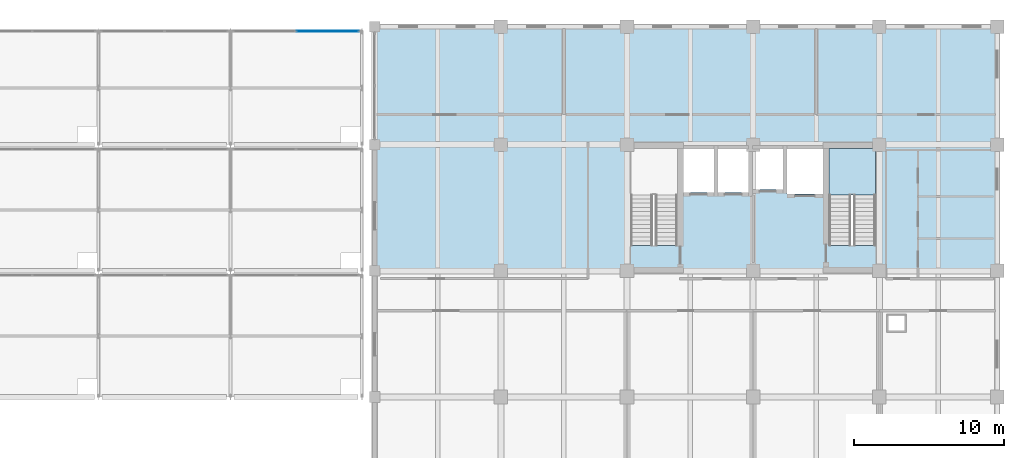
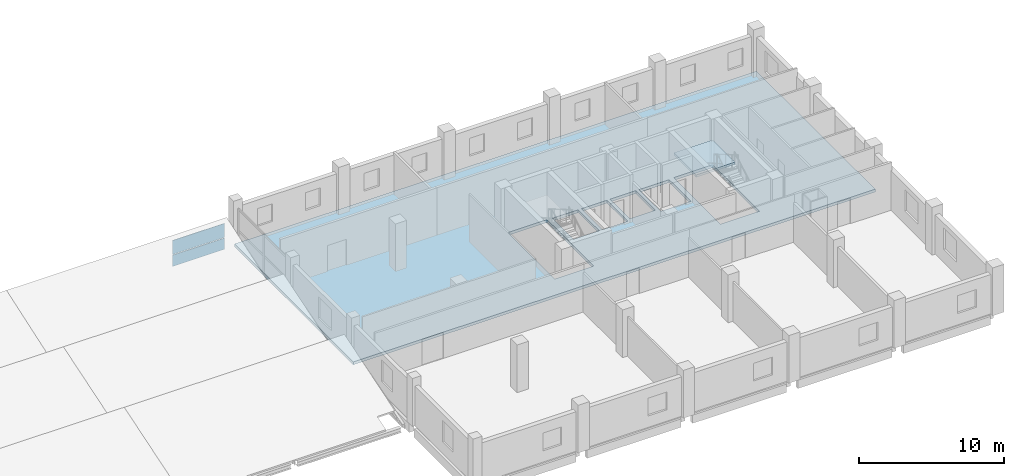
# One storey, part 29 of 40: 2 plates, 2 slabs, 2 elements without a shape of their own.
"""IFC4 building model written with IfcOpenShell, lengths in metres."""

from ifc_helpers import new_model, si_unit, direction, frame, origin, origin_2d, place, context, subcontext, project, spatial, polyline, rectangle, outline, extrude, material, layer, layer_set, type_object, element, aggregate, save


model = new_model("IFC4")

# Units and contexts
model_context = context("Model", 3, precision=1e-05, world=origin(), true_north=direction((0.0, 1.0)))
body_context = subcontext(model_context, "Body", "Model", "MODEL_VIEW")
ifc_project = project(units=[si_unit("LENGTHUNIT", "METRE"), si_unit("AREAUNIT", "SQUARE_METRE"), si_unit("VOLUMEUNIT", "CUBIC_METRE"), si_unit("PLANEANGLEUNIT", "RADIAN"), si_unit("MASSUNIT", "GRAM", prefix="KILO")], contexts=[model_context])

# Site, building, storey
site_placement = place(None, origin())
site = spatial("IfcSite", under=ifc_project, at=site_placement, CompositionType="ELEMENT")
building_placement = place(site_placement, origin())
building = spatial("IfcBuilding", under=site, at=building_placement, Name="Brinegate Botanical Conservatory", CompositionType="ELEMENT")
storey_placement = place(building_placement, frame((0.0, 0.0, 19.199951171875)))
storey = spatial("IfcBuildingStorey", under=building, at=storey_placement, Name="L05", CompositionType="ELEMENT", Elevation=19.199951171875)

# Curtain wall, plates
ifc_material_1 = material(Name="Thermally broken anodised aluminium AW-6063-T6", Category="aluminium")
curtain_wall_type = type_object("IfcCurtainWallType", Name="CW_CW-SAW", PredefinedType="USERDEFINED", material=ifc_material_1)
curtain_wall_placement = place(storey_placement, origin())
curtain_wall = element("IfcCurtainWall", 1, at=curtain_wall_placement, inside=storey, type_object=curtain_wall_type, Name="Sawtooth north-light clerestory B3.8", ObjectType="FACTORY CURTAIN WALL", PredefinedType="USERDEFINED")
ifc_material_2 = material(Name="Double-silver Low-E laminated safety glass", Category="glass")
ifc_layer_1 = layer(ifc_material_2, 0.0400390625, Name="Double-silver Low-E laminated safety glass", Category="glass")
ifc_layer_set_1 = layer_set([ifc_layer_1], Name="Double-silver Low-E laminated safety glass")
plate_type = type_object("IfcPlateType", Name="Plate_PN-40", PredefinedType="CURTAIN_PANEL", material=ifc_layer_set_1)
plate_1_placement = place(storey_placement, frame((118.87255859375, 111.14990234375, 0.2099609375), z_axis=(0.0, 0.0, 1.0), x_axis=(1.0, 0.0, 0.0)))
plate_1 = element("IfcPlate", 2, at=plate_1_placement, type_object=plate_type, Name="CW-SAW panel 2.1", PredefinedType="CURTAIN_PANEL", context=body_context, shape_type="SweptSolid", body=[
    extrude(rectangle(XDim=4.135009765625, YDim=0.0400390625, at=origin_2d()), origin(), (0.0, 0.0, 1.0), 0.945068359375),
])
plate_2_placement = place(storey_placement, frame((118.87255859375, 111.14990234375, 1.21484375), z_axis=(0.0, 0.0, 1.0), x_axis=(1.0, 0.0, 0.0)))
plate_2 = element("IfcPlate", 3, at=plate_2_placement, type_object=plate_type, Name="CW-SAW panel 2.2", PredefinedType="CURTAIN_PANEL", context=body_context, shape_type="SweptSolid", body=[
    extrude(rectangle(XDim=4.135009765625, YDim=0.0400390625, at=origin_2d()), origin(), (0.0, 0.0, 1.0), 1.175048828125),
])
aggregate(curtain_wall, [plate_1, plate_2])

# Slab
ifc_material_3 = material(Name="Concrete C40/50", Category="concrete")
ifc_layer_2 = layer(ifc_material_3, 0.239990234375, Name="Concrete C40/50", Category="concrete")
ifc_layer_set_2 = layer_set([ifc_layer_2], Name="Concrete C40/50")
slab_type_1 = type_object("IfcSlabType", Name="Slab_SL-FL240", PredefinedType="FLOOR", material=ifc_layer_set_2)
slab_1_placement = place(storey_placement, frame((0.0, 0.0, -0.239990234375)))
element("IfcSlab", 4, at=slab_1_placement, inside=storey, type_object=slab_type_1, Name="Research Tower L05 north structural floor slab", PredefinedType="FLOOR", context=body_context, shape_type="SweptSolid", body=[
    extrude(outline(polyline([(122.0, 111.60009765625), (163.60009765625, 111.60009765625), (163.60009765625, 95.199951171875), (122.0, 95.199951171875), (122.0, 111.60009765625)]), holes=[polyline([(142.14990234375, 96.89990234375), (142.14990234375, 103.35009765625), (139.050048828125, 103.35009765625), (139.050048828125, 96.89990234375), (142.14990234375, 96.89990234375)]), polyline([(155.35009765625, 96.89990234375), (155.35009765625, 103.35009765625), (152.25, 103.35009765625), (152.25, 96.89990234375), (155.35009765625, 96.89990234375)]), polyline([(142.550048828125, 100.39990234375), (144.60009765625, 100.39990234375), (144.60009765625, 103.300048828125), (142.550048828125, 103.300048828125), (142.550048828125, 100.39990234375)]), polyline([(144.85009765625, 100.39990234375), (146.89990234375, 100.39990234375), (146.89990234375, 103.300048828125), (144.85009765625, 103.300048828125), (144.85009765625, 100.39990234375)]), polyline([(147.14990234375, 100.60009765625), (149.199951171875, 100.60009765625), (149.199951171875, 103.300048828125), (147.14990234375, 103.300048828125), (147.14990234375, 100.60009765625)]), polyline([(149.449951171875, 100.300048828125), (151.85009765625, 100.300048828125), (151.85009765625, 103.300048828125), (149.449951171875, 103.300048828125), (149.449951171875, 100.300048828125)])]), origin(), (0.0, 0.0, 1.0), 0.239990234375),
])

# Stair, slab
stair_type = type_object("IfcStairType", Name="Stair_HT-4200", PredefinedType="HALF_TURN_STAIR", material=ifc_material_3)
stair_placement = place(storey_placement, origin())
stair = element("IfcStair", 5, at=stair_placement, inside=storey, type_object=stair_type, Name="L05 Tower East Smoke-Proof Stair ST2", PredefinedType="HALF_TURN_STAIR")
ifc_layer_3 = layer(ifc_material_3, 0.199951171875, Name="Concrete C40/50", Category="concrete")
ifc_layer_set_3 = layer_set([ifc_layer_3], Name="Concrete C40/50")
slab_type_2 = type_object("IfcSlabType", Name="Slab_SL-LD200", PredefinedType="LANDING", material=ifc_layer_set_3)
slab_2_placement = place(storey_placement, frame((0.0, 0.0, 1.900146484375)))
slab_2 = element("IfcSlab", 6, at=slab_2_placement, type_object=slab_type_2, Name="ST2 landing 1", PredefinedType="LANDING", context=body_context, shape_type="SweptSolid", body=[
    extrude(outline(polyline([(155.35009765625, 100.260009765625), (155.35009765625, 103.35009765625), (152.25, 103.35009765625), (152.25, 100.260009765625), (155.35009765625, 100.260009765625)])), origin(), (0.0, 0.0, 1.0), 0.199951171875),
])
aggregate(stair, [slab_2])

save(model, "model.ifc")
